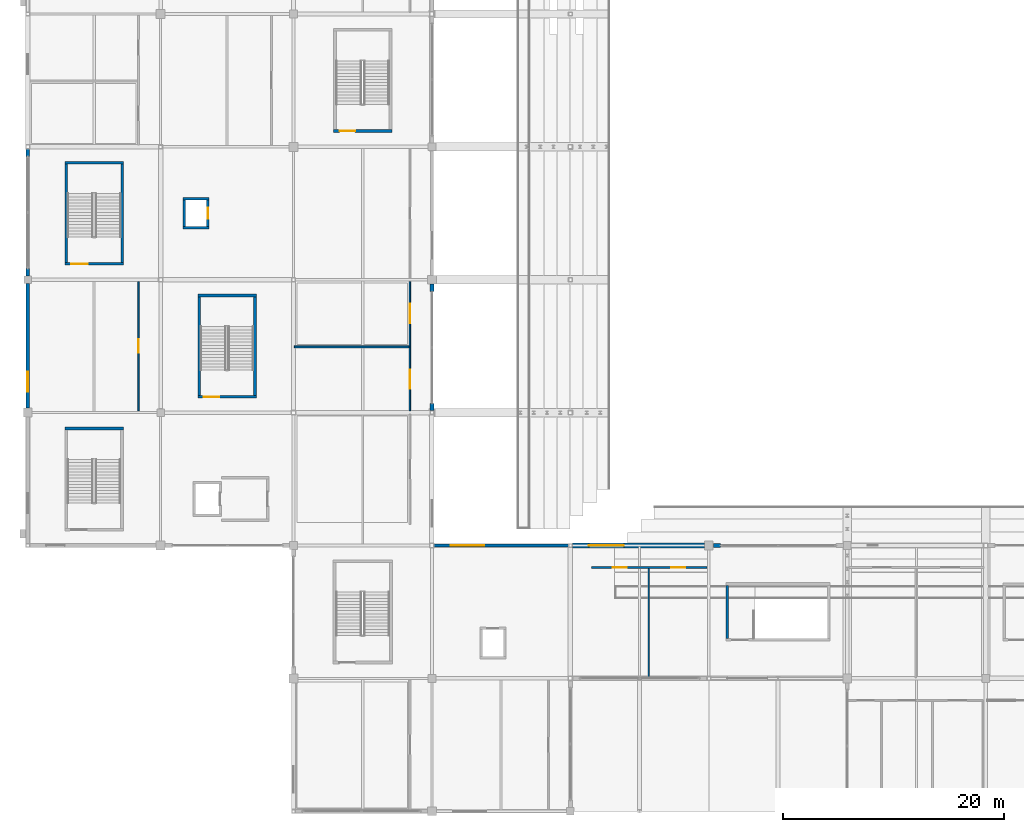
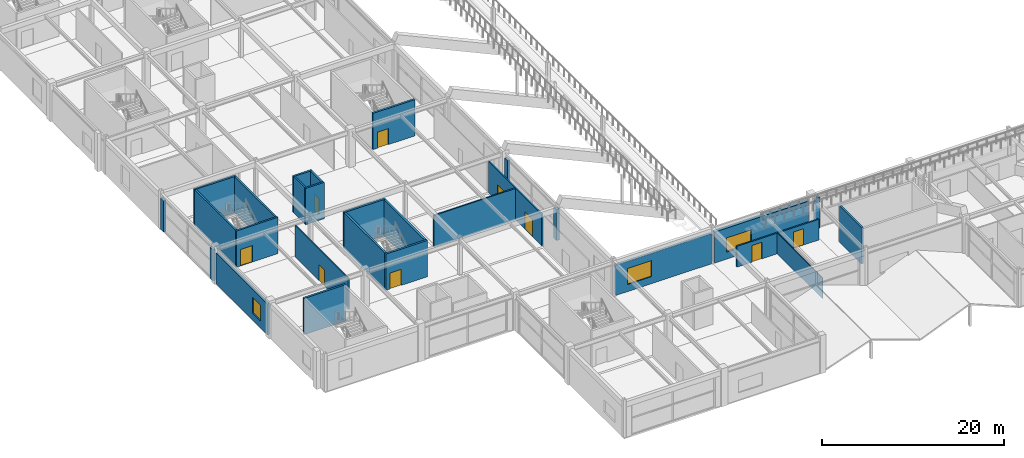
# One storey, part 85 of 128: 28 walls, 9 doors, 3 windows, 12 openings.
"""IFC4 building model written with IfcOpenShell, lengths in metres."""

from ifc_helpers import new_model, si_unit, direction, frame, frame_2d, origin, place, context, subcontext, project, spatial, rectangle, extrude, material, layer, layer_set, type_object, element, fill, save


model = new_model("IFC4")

# Units and contexts
model_context = context("Model", 3, precision=1e-05, world=origin(), true_north=direction((0.0, 1.0)))
body_context = subcontext(model_context, "Body", "Model", "MODEL_VIEW")
ifc_project = project(units=[si_unit("LENGTHUNIT", "METRE"), si_unit("AREAUNIT", "SQUARE_METRE"), si_unit("VOLUMEUNIT", "CUBIC_METRE"), si_unit("PLANEANGLEUNIT", "RADIAN"), si_unit("MASSUNIT", "GRAM", prefix="KILO")], contexts=[model_context])

# Site, building, storey
site_placement = place(None, origin())
site = spatial("IfcSite", under=ifc_project, at=site_placement, CompositionType="ELEMENT")
building_placement = place(site_placement, origin())
building = spatial("IfcBuilding", under=site, at=building_placement, Name="Kazenohara Klinker Stadium", CompositionType="ELEMENT")
storey_placement = place(building_placement, frame((0.0, 0.0, 15.300048828125)))
storey = spatial("IfcBuildingStorey", under=building, at=storey_placement, Name="L03", CompositionType="ELEMENT", Elevation=15.300048828125)

# Wall, opening, door
ifc_material_1 = material(Name="Concrete C40/50", Category="concrete")
ifc_layer_1 = layer(ifc_material_1, 0.22998046875)
ifc_layer_set_1 = layer_set([ifc_layer_1], Name="Concrete C40/50")
wall_type_1 = type_object("IfcWallType", Name="WAL-CORE-230", PredefinedType="SHEAR", material=ifc_layer_set_1)
wall_1_placement = place(storey_placement, frame((3.3701171875, 61.43505859375, 0.0), z_axis=(0.0, 0.0, 1.0), x_axis=(1.0, 0.0, 0.0)))
wall_1 = element("IfcWall", 1, at=wall_1_placement, inside=storey, type_object=wall_type_1, Name="Stairwell shear wall ST02 L03 South", PredefinedType="SHEAR", context=body_context, shape_type="SweptSolid", body=[
    extrude(rectangle(XDim=5.259765625, YDim=0.22998046875, at=frame_2d((2.6298828125, 0.0))), origin(), (0.0, 0.0, 1.0), 4.85986328125),
])
opening_1_placement = place(wall_1_placement, frame((0.550048828125, 0.0, 0.0)))
opening_1 = element("IfcOpeningElement", 2, at=opening_1_placement, cuts=wall_1, Name="Opening SD02", PredefinedType="OPENING", context=body_context, shape_type="SweptSolid", body=[
    extrude(rectangle(XDim=1.5, YDim=2.199951171875, at=frame_2d((0.75, 1.10009765625))), frame((0.0, 0.125, 0.0), z_axis=(0.0, -1.0, 0.0), x_axis=(1.0, 0.0, 0.0)), (0.0, 0.0, 1.0), 0.25),
])
ifc_material_2 = material(Name="Flush painted steel fire door leaf", Category="steel")
door_type_1 = type_object("IfcDoorType", Name="DR-STR-1500x2200", OperationType="NOTDEFINED", PredefinedType="DOOR", material=ifc_material_2)
door_1_placement = place(opening_1_placement, origin())
door_1 = element("IfcDoor", 3, at=door_1_placement, inside=storey, type_object=door_type_1, Name="Escape stairwell fire door ST02-L03", OperationType="SINGLE_SWING_RIGHT", OverallHeight=2.199951171875, OverallWidth=1.5, PredefinedType="DOOR", context=body_context, shape_type="SweptSolid", body=[
    extrude(rectangle(XDim=1.5, YDim=2.199951171875, at=frame_2d((0.75, 1.10009765625))), frame((0.0, 0.02490234375, 0.0), z_axis=(0.0, -1.0, 0.0), x_axis=(1.0, 0.0, 0.0)), (0.0, 0.0, 1.0), 0.050048828125),
])
fill(opening_1, door_1)

# Walls
wall_2_placement = place(storey_placement, frame((3.3701171875, 70.56494140625, 0.0), z_axis=(0.0, 0.0, 1.0), x_axis=(1.0, 0.0, 0.0)))
element("IfcWall", 4, at=wall_2_placement, inside=storey, type_object=wall_type_1, Name="Stairwell shear wall ST02 L03 North", PredefinedType="SHEAR", context=body_context, shape_type="SweptSolid", body=[
    extrude(rectangle(XDim=5.259765625, YDim=0.22998046875, at=frame_2d((2.6298828125, 0.0))), origin(), (0.0, 0.0, 1.0), 4.85986328125),
])
for number, where, z_axis, x_axis, name in (
    (5, (3.485107421875, 61.550048828125, 0.0), (0.0, 0.0, 1.0), (0.0, 1.0, 0.0), "Stairwell shear wall ST02 L03 West"),
    (6, (8.514892578125, 61.550048828125, 0.0), (0.0, 0.0, 1.0), (0.0, 1.0, 0.0), "Stairwell shear wall ST02 L03 East"),
):
    element("IfcWall", number, at=place(storey_placement, frame(where, z_axis=z_axis, x_axis=x_axis)), inside=storey, type_object=wall_type_1, Name=name, PredefinedType="SHEAR", context=body_context, shape_type="SweptSolid", body=[
        extrude(rectangle(XDim=8.89990234375, YDim=0.22998046875, at=frame_2d((4.449951171875, 0.0))), origin(), (0.0, 0.0, 1.0), 4.85986328125),
    ])
for number, where, z_axis, x_axis, name in (
    (7, (14.02001953125, 64.68505859375, 0.0), (0.0, 0.0, 1.0), (1.0, 0.0, 0.0), "Elevator shaft wall LP01 L03 South"),
    (8, (14.02001953125, 67.31494140625, 0.0), (0.0, 0.0, 1.0), (1.0, 0.0, 0.0), "Elevator shaft wall LP01 L03 North"),
):
    element("IfcWall", number, at=place(storey_placement, frame(where, z_axis=z_axis, x_axis=x_axis)), inside=storey, type_object=wall_type_1, Name=name, PredefinedType="SHEAR", context=body_context, shape_type="SweptSolid", body=[
        extrude(rectangle(XDim=2.35986328125, YDim=0.22998046875, at=frame_2d((1.179931640625, 0.0))), origin(), (0.0, 0.0, 1.0), 4.85986328125),
    ])
wall_3_placement = place(storey_placement, frame((14.135009765625, 64.800048828125, 0.0), z_axis=(0.0, 0.0, 1.0), x_axis=(0.0, 1.0, 0.0)))
element("IfcWall", 9, at=wall_3_placement, inside=storey, type_object=wall_type_1, Name="Elevator shaft wall LP01 L03 West", PredefinedType="SHEAR", context=body_context, shape_type="SweptSolid", body=[
    extrude(rectangle(XDim=2.39990234375, YDim=0.22998046875, at=frame_2d((1.199951171875, 0.0))), origin(), (0.0, 0.0, 1.0), 4.85986328125),
])

# Wall, opening, door
wall_4_placement = place(storey_placement, frame((16.264892578125, 64.800048828125, 0.0), z_axis=(0.0, 0.0, 1.0), x_axis=(0.0, 1.0, 0.0)))
wall_4 = element("IfcWall", 10, at=wall_4_placement, inside=storey, type_object=wall_type_1, Name="Elevator shaft wall LP01 L03 East", PredefinedType="SHEAR", context=body_context, shape_type="SweptSolid", body=[
    extrude(rectangle(XDim=2.39990234375, YDim=0.22998046875, at=frame_2d((1.199951171875, 0.0))), origin(), (0.0, 0.0, 1.0), 4.85986328125),
])
opening_2_placement = place(wall_4_placement, frame((0.699951171875, 0.0, 0.0)))
opening_2 = element("IfcOpeningElement", 11, at=opening_2_placement, cuts=wall_4, Name="Opening LD02", PredefinedType="OPENING", context=body_context, shape_type="SweptSolid", body=[
    extrude(rectangle(XDim=1.0, YDim=2.14990234375, at=frame_2d((0.5, 1.074951171875))), frame((0.0, 0.125, 0.0), z_axis=(0.0, -1.0, 0.0), x_axis=(1.0, 0.0, 0.0)), (0.0, 0.0, 1.0), 0.25),
])
ifc_material_3 = material(Name="Stainless steel sliding landing door", Category="steel")
door_type_2 = type_object("IfcDoorType", Name="DR-LD02-1000x2150", OperationType="NOTDEFINED", PredefinedType="DOOR", material=ifc_material_3)
door_2_placement = place(opening_2_placement, origin())
door_2 = element("IfcDoor", 12, at=door_2_placement, inside=storey, type_object=door_type_2, Name="Elevator sliding landing door LP01-L03", OperationType="DOUBLE_DOOR_SLIDING", OverallHeight=2.14990234375, OverallWidth=1.0, PredefinedType="DOOR", context=body_context, shape_type="SweptSolid", body=[
    extrude(rectangle(XDim=1.0, YDim=2.14990234375, at=frame_2d((0.5, 1.074951171875))), frame((0.0, 0.02490234375, 0.0), z_axis=(0.0, -1.0, 0.0), x_axis=(1.0, 0.0, 0.0)), (0.0, 0.0, 1.0), 0.050048828125),
])
fill(opening_2, door_2)

# Wall
ifc_layer_2 = layer(ifc_material_1, 0.25)
ifc_layer_set_2 = layer_set([ifc_layer_2], Name="Concrete C40/50")
wall_type_2 = type_object("IfcWallType", Name="WAL-CORE-250", PredefinedType="SHEAR", material=ifc_layer_set_2)
wall_5_placement = place(storey_placement, frame((3.360107421875, 46.574951171875, 0.0), z_axis=(0.0, 0.0, 1.0), x_axis=(1.0, 0.0, 0.0)))
element("IfcWall", 13, at=wall_5_placement, inside=storey, type_object=wall_type_2, Name="Stairwell shear wall ST01 L03 North", PredefinedType="SHEAR", context=body_context, shape_type="SweptSolid", body=[
    extrude(rectangle(XDim=5.27978515625, YDim=0.25, at=frame_2d((2.639892578125, 0.0))), origin(), (0.0, 0.0, 1.0), 4.85986328125),
])

# Wall, opening, door
wall_6_placement = place(storey_placement, frame((15.360107421875, 49.425048828125, 0.0), z_axis=(0.0, 0.0, 1.0), x_axis=(1.0, 0.0, 0.0)))
wall_6 = element("IfcWall", 14, at=wall_6_placement, inside=storey, type_object=wall_type_2, Name="Stairwell shear wall ST13 L03 South", PredefinedType="SHEAR", context=body_context, shape_type="SweptSolid", body=[
    extrude(rectangle(XDim=5.27978515625, YDim=0.25, at=frame_2d((2.639892578125, 0.0))), origin(), (0.0, 0.0, 1.0), 4.85986328125),
])
opening_3_placement = place(wall_6_placement, frame((0.550048828125, 0.0, 0.0)))
opening_3 = element("IfcOpeningElement", 15, at=opening_3_placement, cuts=wall_6, Name="Opening SD01", PredefinedType="OPENING", context=body_context, shape_type="SweptSolid", body=[
    extrude(rectangle(XDim=1.39990234375, YDim=2.14990234375, at=frame_2d((0.699951171875, 1.074951171875))), frame((0.0, 0.135009765625, 0.0), z_axis=(0.0, -1.0, 0.0), x_axis=(1.0, 0.0, 0.0)), (0.0, 0.0, 1.0), 0.27001953125),
])
door_type_3 = type_object("IfcDoorType", Name="DR-STR-1400x2150", OperationType="NOTDEFINED", PredefinedType="DOOR", material=ifc_material_2)
door_3_placement = place(opening_3_placement, origin())
door_3 = element("IfcDoor", 16, at=door_3_placement, inside=storey, type_object=door_type_3, Name="Escape stairwell fire door ST13-L03", OperationType="SINGLE_SWING_RIGHT", OverallHeight=2.14990234375, OverallWidth=1.39990234375, PredefinedType="DOOR", context=body_context, shape_type="SweptSolid", body=[
    extrude(rectangle(XDim=1.39990234375, YDim=2.14990234375, at=frame_2d((0.699951171875, 1.074951171875))), frame((0.0, 0.02490234375, 0.0), z_axis=(0.0, -1.0, 0.0), x_axis=(1.0, 0.0, 0.0)), (0.0, 0.0, 1.0), 0.050048828125),
])
fill(opening_3, door_3)

# Walls
wall_7_placement = place(storey_placement, frame((15.360107421875, 58.574951171875, 0.0), z_axis=(0.0, 0.0, 1.0), x_axis=(1.0, 0.0, 0.0)))
element("IfcWall", 17, at=wall_7_placement, inside=storey, type_object=wall_type_2, Name="Stairwell shear wall ST13 L03 North", PredefinedType="SHEAR", context=body_context, shape_type="SweptSolid", body=[
    extrude(rectangle(XDim=5.27978515625, YDim=0.25, at=frame_2d((2.639892578125, 0.0))), origin(), (0.0, 0.0, 1.0), 4.85986328125),
])
for number, where, z_axis, x_axis, name in (
    (18, (15.485107421875, 49.550048828125, 0.0), (0.0, 0.0, 1.0), (0.0, 1.0, 0.0), "Stairwell shear wall ST13 L03 West"),
    (19, (20.514892578125, 49.550048828125, 0.0), (0.0, 0.0, 1.0), (0.0, 1.0, 0.0), "Stairwell shear wall ST13 L03 East"),
):
    element("IfcWall", number, at=place(storey_placement, frame(where, z_axis=z_axis, x_axis=x_axis)), inside=storey, type_object=wall_type_2, Name=name, PredefinedType="SHEAR", context=body_context, shape_type="SweptSolid", body=[
        extrude(rectangle(XDim=8.89990234375, YDim=0.25, at=frame_2d((4.449951171875, 0.0))), origin(), (0.0, 0.0, 1.0), 4.85986328125),
    ])

# Wall, opening, door
wall_8_placement = place(storey_placement, frame((27.610107421875, 73.425048828125, 0.0), z_axis=(0.0, 0.0, 1.0), x_axis=(1.0, 0.0, 0.0)))
wall_8 = element("IfcWall", 20, at=wall_8_placement, inside=storey, type_object=wall_type_2, Name="Stairwell shear wall ST17 L03 South", PredefinedType="SHEAR", context=body_context, shape_type="SweptSolid", body=[
    extrude(rectangle(XDim=5.27978515625, YDim=0.25, at=frame_2d((2.639892578125, 0.0))), origin(), (0.0, 0.0, 1.0), 4.85986328125),
])
opening_4_placement = place(wall_8_placement, frame((0.550048828125, 0.0, 0.0)))
opening_4 = element("IfcOpeningElement", 21, at=opening_4_placement, cuts=wall_8, Name="Opening SD01", PredefinedType="OPENING", context=body_context, shape_type="SweptSolid", body=[
    extrude(rectangle(XDim=1.39990234375, YDim=2.14990234375, at=frame_2d((0.699951171875, 1.074951171875))), frame((0.0, 0.135009765625, 0.0), z_axis=(0.0, -1.0, 0.0), x_axis=(1.0, 0.0, 0.0)), (0.0, 0.0, 1.0), 0.27001953125),
])
door_4_placement = place(opening_4_placement, origin())
door_4 = element("IfcDoor", 22, at=door_4_placement, inside=storey, type_object=door_type_3, Name="Escape stairwell fire door ST17-L03", OperationType="SINGLE_SWING_RIGHT", OverallHeight=2.14990234375, OverallWidth=1.39990234375, PredefinedType="DOOR", context=body_context, shape_type="SweptSolid", body=[
    extrude(rectangle(XDim=1.39990234375, YDim=2.14990234375, at=frame_2d((0.699951171875, 1.074951171875))), frame((0.0, 0.02490234375, 0.0), z_axis=(0.0, -1.0, 0.0), x_axis=(1.0, 0.0, 0.0)), (0.0, 0.0, 1.0), 0.050048828125),
])
fill(opening_4, door_4)

# Wall
wall_9_placement = place(storey_placement, frame((63.175048828125, 27.610107421875, 0.0), z_axis=(0.0, 0.0, 1.0), x_axis=(0.0, 1.0, 0.0)))
element("IfcWall", 23, at=wall_9_placement, inside=storey, type_object=wall_type_2, Name="Stairwell shear wall ST25 L03 West", PredefinedType="SHEAR", context=body_context, shape_type="SweptSolid", body=[
    extrude(rectangle(XDim=4.77978515625, YDim=0.25, at=frame_2d((2.389892578125, 0.0))), origin(), (0.0, 0.0, 1.0), 4.85986328125),
])

# Wall, opening, window
ifc_material_4 = material(Name="Clinker brick masonry", Category="masonry")
ifc_layer_3 = layer(ifc_material_4, 0.280029296875)
ifc_layer_set_3 = layer_set([ifc_layer_3], Name="Clinker brick masonry")
wall_type_3 = type_object("IfcWallType", Name="WAL-EXT-CB280", PredefinedType="SOLIDWALL", material=ifc_layer_set_3)
wall_10_placement = place(storey_placement, frame((0.0, 48.404052734375, 0.0), z_axis=(0.0, 0.0, 1.0), x_axis=(0.0, 1.0, 0.0)))
wall_10 = element("IfcWall", 24, at=wall_10_placement, inside=storey, type_object=wall_type_3, Name="Clinker brick cavity wall EW06 L03 Y0-4", PredefinedType="SOLIDWALL", context=body_context, shape_type="SweptSolid", body=[
    extrude(rectangle(XDim=11.241943359375, YDim=0.280029296875, at=frame_2d((5.62109375, 0.0))), origin(), (0.0, 0.0, 1.0), 4.159912109375),
])
opening_5_placement = place(wall_10_placement, frame((1.5, 0.0, 0.949951171875)))
opening_5 = element("IfcOpeningElement", 25, at=opening_5_placement, cuts=wall_10, Name="Opening W14", PredefinedType="OPENING", context=body_context, shape_type="SweptSolid", body=[
    extrude(rectangle(XDim=1.800048828125, YDim=2.14990234375, at=frame_2d((0.89990234375, 1.074951171875))), frame((0.0, 0.14990234375, 0.0), z_axis=(0.0, -1.0, 0.0), x_axis=(1.0, 0.0, 0.0)), (0.0, 0.0, 1.0), 0.300048828125),
])
ifc_material_5 = material(Name="Dark bronze aluminium frame and triple glazing", Category="aluminium")
window_type_1 = type_object("IfcWindowType", Name="WIN-AS-14", PartitioningType="SINGLE_PANEL", PredefinedType="WINDOW", material=ifc_material_5)
window_1_placement = place(opening_5_placement, origin())
window_1 = element("IfcWindow", 26, at=window_1_placement, inside=storey, type_object=window_type_1, Name="Horizontal-mullion ladder window W14 L03 Y0-4", OverallHeight=2.14990234375, OverallWidth=1.800048828125, PartitioningType="SINGLE_PANEL", PredefinedType="WINDOW", context=body_context, shape_type="SweptSolid", body=[
    extrude(rectangle(XDim=1.800048828125, YDim=2.14990234375, at=frame_2d((0.89990234375, 1.074951171875))), frame((0.0, 0.030029296875, 0.0), z_axis=(0.0, -1.0, 0.0), x_axis=(1.0, 0.0, 0.0)), (0.0, 0.0, 1.0), 0.06005859375),
])
fill(opening_5, window_1)

wall_11_placement = place(storey_placement, frame((36.7041015625, 36.0, 0.0), z_axis=(0.0, 0.0, 1.0), x_axis=(1.0, 0.0, 0.0)))
wall_11 = element("IfcWall", 27, at=wall_11_placement, inside=storey, type_object=wall_type_3, Name="Clinker brick cavity wall EW06 L03 X3-3", PredefinedType="SOLIDWALL", context=body_context, shape_type="SweptSolid", body=[
    extrude(rectangle(XDim=12.116943359375, YDim=0.280029296875, at=frame_2d((6.05859375, 0.0))), origin(), (0.0, 0.0, 1.0), 4.06005859375),
])
opening_6_placement = place(wall_11_placement, frame((1.5, 0.0, 0.949951171875)))
opening_6 = element("IfcOpeningElement", 28, at=opening_6_placement, cuts=wall_11, Name="Opening W31", PredefinedType="OPENING", context=body_context, shape_type="SweptSolid", body=[
    extrude(rectangle(XDim=3.0, YDim=2.14990234375, at=frame_2d((1.5, 1.074951171875))), frame((0.0, 0.14990234375, 0.0), z_axis=(0.0, -1.0, 0.0), x_axis=(1.0, 0.0, 0.0)), (0.0, 0.0, 1.0), 0.300048828125),
])
window_type_2 = type_object("IfcWindowType", Name="WIN-AS-31", PartitioningType="SINGLE_PANEL", PredefinedType="WINDOW", material=ifc_material_5)
window_2_placement = place(opening_6_placement, origin())
window_2 = element("IfcWindow", 29, at=window_2_placement, inside=storey, type_object=window_type_2, Name="Horizontal-mullion ladder window W31 L03 X3-3", OverallHeight=2.14990234375, OverallWidth=3.0, PartitioningType="SINGLE_PANEL", PredefinedType="WINDOW", context=body_context, shape_type="SweptSolid", body=[
    extrude(rectangle(XDim=3.0, YDim=2.14990234375, at=frame_2d((1.5, 1.074951171875))), frame((0.0, 0.030029296875, 0.0), z_axis=(0.0, -1.0, 0.0), x_axis=(1.0, 0.0, 0.0)), (0.0, 0.0, 1.0), 0.06005859375),
])
fill(opening_6, window_2)

# Walls
ifc_layer_4 = layer(ifc_material_4, 0.340087890625)
ifc_layer_set_4 = layer_set([ifc_layer_4], Name="Clinker brick masonry")
wall_type_4 = type_object("IfcWallType", Name="WAL-EXT-CB340", PredefinedType="SOLIDWALL", material=ifc_layer_set_4)
for number, where, z_axis, x_axis, name in (
    (30, (0.0, 60.35400390625, 0.0), (0.0, 0.0, 1.0), (0.0, 1.0, 0.0), "Clinker brick curtain-wall jamb pier L03 Y0-5 A"),
    (31, (0.0, 71.14599609375, 0.0), (0.0, 0.0, 1.0), (0.0, 1.0, 0.0), "Clinker brick curtain-wall jamb pier L03 Y0-5 B"),
):
    element("IfcWall", number, at=place(storey_placement, frame(where, z_axis=z_axis, x_axis=x_axis)), inside=storey, type_object=wall_type_4, Name=name, PredefinedType="SOLIDWALL", context=body_context, shape_type="SweptSolid", body=[
        extrude(rectangle(XDim=0.64990234375, YDim=0.340087890625, at=frame_2d((0.324951171875, 0.0))), origin(), (0.0, 0.0, 1.0), 4.171875),
    ])
wall_12_placement = place(storey_placement, frame((36.5, 48.178955078125, 0.0), z_axis=(0.0, 0.0, 1.0), x_axis=(0.0, 1.0, 0.0)))
element("IfcWall", 32, at=wall_12_placement, inside=storey, type_object=wall_type_4, Name="Clinker brick curtain-wall jamb pier L03 Y3-4 A", PredefinedType="SOLIDWALL", context=body_context, shape_type="SweptSolid", body=[
    extrude(rectangle(XDim=0.650146484375, YDim=0.340087890625, at=frame_2d((0.3251953125, 0.0))), origin(), (0.0, 0.0, 1.0), 4.159912109375),
])
wall_13_placement = place(storey_placement, frame((36.5, 58.946044921875, 0.0), z_axis=(0.0, 0.0, 1.0), x_axis=(0.0, 1.0, 0.0)))
element("IfcWall", 33, at=wall_13_placement, inside=storey, type_object=wall_type_4, Name="Clinker brick curtain-wall jamb pier L03 Y3-4 B", PredefinedType="SOLIDWALL", context=body_context, shape_type="SweptSolid", body=[
    extrude(rectangle(XDim=0.64990234375, YDim=0.340087890625, at=frame_2d((0.324951171875, 0.0))), origin(), (0.0, 0.0, 1.0), 4.159912109375),
])
wall_14_placement = place(storey_placement, frame((61.904052734375, 36.0, 0.0), z_axis=(0.0, 0.0, 1.0), x_axis=(1.0, 0.0, 0.0)))
element("IfcWall", 34, at=wall_14_placement, inside=storey, type_object=wall_type_4, Name="Clinker brick curtain-wall jamb pier L03 X5-3 A", PredefinedType="SOLIDWALL", context=body_context, shape_type="SweptSolid", body=[
    extrude(rectangle(XDim=0.64990234375, YDim=0.340087890625, at=frame_2d((0.324951171875, 0.0))), origin(), (0.0, 0.0, 1.0), 4.171875),
])

# Wall, opening, window
ifc_layer_5 = layer(ifc_material_4, 0.409912109375)
ifc_layer_set_5 = layer_set([ifc_layer_5], Name="Clinker brick masonry")
wall_type_5 = type_object("IfcWallType", Name="WAL-EXT-CB410", PredefinedType="SOLIDWALL", material=ifc_layer_set_5)
wall_15_placement = place(storey_placement, frame((49.178955078125, 36.0, 0.0), z_axis=(0.0, 0.0, 1.0), x_axis=(1.0, 0.0, 0.0)))
wall_15 = element("IfcWall", 35, at=wall_15_placement, inside=storey, type_object=wall_type_5, Name="Clinker brick cavity wall EW02 L03 X4-3", PredefinedType="SOLIDWALL", context=body_context, shape_type="SweptSolid", body=[
    extrude(rectangle(XDim=11.9169921875, YDim=0.409912109375, at=frame_2d((5.95849609375, 0.0))), origin(), (0.0, 0.0, 1.0), 4.159912109375),
])
opening_7_placement = place(wall_15_placement, frame((1.5, 0.0, 0.949951171875)))
opening_7 = element("IfcOpeningElement", 36, at=opening_7_placement, cuts=wall_15, Name="Opening W32", PredefinedType="OPENING", context=body_context, shape_type="SweptSolid", body=[
    extrude(rectangle(XDim=3.14990234375, YDim=1.89990234375, at=frame_2d((1.574951171875, 0.949951171875))), frame((0.0, 0.21484375, 0.0), z_axis=(0.0, -1.0, 0.0), x_axis=(1.0, 0.0, 0.0)), (0.0, 0.0, 1.0), 0.429931640625),
])
window_type_3 = type_object("IfcWindowType", Name="WIN-AS-32", PartitioningType="SINGLE_PANEL", PredefinedType="WINDOW", material=ifc_material_5)
window_3_placement = place(opening_7_placement, origin())
window_3 = element("IfcWindow", 37, at=window_3_placement, inside=storey, type_object=window_type_3, Name="Horizontal-mullion ladder window W32 L03 X4-3", OverallHeight=1.89990234375, OverallWidth=3.14990234375, PartitioningType="SINGLE_PANEL", PredefinedType="WINDOW", context=body_context, shape_type="SweptSolid", body=[
    extrude(rectangle(XDim=3.14990234375, YDim=1.89990234375, at=frame_2d((1.574951171875, 0.949951171875))), frame((0.0, 0.030029296875, 0.0), z_axis=(0.0, -1.0, 0.0), x_axis=(1.0, 0.0, 0.0)), (0.0, 0.0, 1.0), 0.06005859375),
])
fill(opening_7, window_3)

# Wall
ifc_material_6 = material(Name="Fire-rated gypsum board on acoustic studs", Category="gypsum")
ifc_layer_6 = layer(ifc_material_6, 0.110107421875)
ifc_layer_set_6 = layer_set([ifc_layer_6], Name="Fire-rated gypsum board on acoustic studs")
wall_type_6 = type_object("IfcWallType", Name="WAL-INT-P110", PredefinedType="PARTITIONING", material=ifc_layer_set_6)
wall_16_placement = place(storey_placement, frame((56.077880859375, 24.02392578125, 0.0), z_axis=(0.0, 0.0, 1.0), x_axis=(0.0, 1.0, 0.0)))
element("IfcWall", 38, at=wall_16_placement, inside=storey, type_object=wall_type_6, Name="Interior partition wall PT01 SPC-L03-04-02-1-2", PredefinedType="PARTITIONING", context=body_context, shape_type="SweptSolid", body=[
    extrude(rectangle(XDim=9.885986328125, YDim=0.110107421875, at=frame_2d((4.94287109375, 0.0))), origin(), (0.0, 0.0, 1.0), 2.77001953125),
])

# Wall, opening, door
ifc_layer_7 = layer(ifc_material_6, 0.139892578125)
ifc_layer_set_7 = layer_set([ifc_layer_7], Name="Fire-rated gypsum board on acoustic studs")
wall_type_7 = type_object("IfcWallType", Name="WAL-INT-P140", PredefinedType="PARTITIONING", material=ifc_layer_set_7)
wall_17_placement = place(storey_placement, frame((10.010009765625, 48.159912109375, 0.0), z_axis=(0.0, 0.0, 1.0), x_axis=(0.0, 1.0, 0.0)))
wall_17 = element("IfcWall", 39, at=wall_17_placement, inside=storey, type_object=wall_type_7, Name="Interior partition wall PT03 SPC-L03-00-04-1-1", PredefinedType="PARTITIONING", context=body_context, shape_type="SweptSolid", body=[
    extrude(rectangle(XDim=11.68017578125, YDim=0.139892578125, at=frame_2d((5.840087890625, 0.0))), origin(), (0.0, 0.0, 1.0), 4.219970703125),
])
opening_8_placement = place(wall_17_placement, frame((5.235107421875, 0.0, 0.0)))
opening_8 = element("IfcOpeningElement", 40, at=opening_8_placement, cuts=wall_17, Name="Opening ID12", PredefinedType="OPENING", context=body_context, shape_type="SweptSolid", body=[
    extrude(rectangle(XDim=1.2099609375, YDim=2.179931640625, at=frame_2d((0.60498046875, 1.08984375))), frame((0.0, 0.080078125, 0.0), z_axis=(0.0, -1.0, 0.0), x_axis=(1.0, 0.0, 0.0)), (0.0, 0.0, 1.0), 0.159912109375),
])
ifc_material_7 = material(Name="Solid-core Hokkaido oak fire door", Category="wood")
door_type_4 = type_object("IfcDoorType", Name="DR-INT-12", OperationType="NOTDEFINED", PredefinedType="DOOR", material=ifc_material_7)
door_5_placement = place(opening_8_placement, origin())
door_5 = element("IfcDoor", 41, at=door_5_placement, inside=storey, type_object=door_type_4, Name="Interior door ID12 Crowd Safety Monitoring Control Studio L03-0004A", OperationType="SINGLE_SWING_LEFT", OverallHeight=2.179931640625, OverallWidth=1.2099609375, PredefinedType="DOOR", context=body_context, shape_type="SweptSolid", body=[
    extrude(rectangle(XDim=1.2099609375, YDim=2.179931640625, at=frame_2d((0.60498046875, 1.08984375))), frame((0.0, 0.02490234375, 0.0), z_axis=(0.0, -1.0, 0.0), x_axis=(1.0, 0.0, 0.0)), (0.0, 0.0, 1.0), 0.050048828125),
])
fill(opening_8, door_5)

# Wall, openings, doors
ifc_layer_8 = layer(ifc_material_6, 0.14990234375)
ifc_layer_set_8 = layer_set([ifc_layer_8], Name="Fire-rated gypsum board on acoustic studs")
wall_type_8 = type_object("IfcWallType", Name="WAL-INT-P150", PredefinedType="PARTITIONING", material=ifc_layer_set_8)
wall_18_placement = place(storey_placement, frame((34.510009765625, 48.159912109375, 0.0), z_axis=(0.0, 0.0, 1.0), x_axis=(0.0, 1.0, 0.0)))
wall_18 = element("IfcWall", 42, at=wall_18_placement, inside=storey, type_object=wall_type_8, Name="Interior partition wall PT04 SPC-L03-02-04-1-1", PredefinedType="PARTITIONING", context=body_context, shape_type="SweptSolid", body=[
    extrude(rectangle(XDim=11.68017578125, YDim=0.14990234375, at=frame_2d((5.840087890625, 0.0))), origin(), (0.0, 0.0, 1.0), 4.219970703125),
])
opening_9_placement = place(wall_18_placement, frame((2.000732421875, 0.0, 0.0)))
opening_9 = element("IfcOpeningElement", 43, at=opening_9_placement, cuts=wall_18, Name="Opening ID25", PredefinedType="OPENING", context=body_context, shape_type="SweptSolid", body=[
    extrude(rectangle(XDim=1.699951171875, YDim=2.320068359375, at=frame_2d((0.85009765625, 1.16015625))), frame((0.0, 0.0849609375, 0.0), z_axis=(0.0, -1.0, 0.0), x_axis=(1.0, 0.0, 0.0)), (0.0, 0.0, 1.0), 0.169921875),
])
opening_10_placement = place(wall_18_placement, frame((7.890869140625, 0.0, 0.0)))
opening_10 = element("IfcOpeningElement", 44, at=opening_10_placement, cuts=wall_18, Name="Opening ID26", PredefinedType="OPENING", context=body_context, shape_type="SweptSolid", body=[
    extrude(rectangle(XDim=1.760009765625, YDim=2.300048828125, at=frame_2d((0.8798828125, 1.14990234375))), frame((0.0, 0.0849609375, 0.0), z_axis=(0.0, -1.0, 0.0), x_axis=(1.0, 0.0, 0.0)), (0.0, 0.0, 1.0), 0.169921875),
])
ifc_material_8 = material(Name="Painted steel plant fire door", Category="steel")
door_type_5 = type_object("IfcDoorType", Name="DR-INT-25", OperationType="NOTDEFINED", PredefinedType="DOOR", material=ifc_material_8)
door_6_placement = place(opening_9_placement, origin())
door_6 = element("IfcDoor", 45, at=door_6_placement, inside=storey, type_object=door_type_5, Name="Interior door ID25 Concourse Cold-Climate Hospitality Lounge L03-0204A", OperationType="SINGLE_SWING_RIGHT", OverallHeight=2.320068359375, OverallWidth=1.699951171875, PredefinedType="DOOR", context=body_context, shape_type="SweptSolid", body=[
    extrude(rectangle(XDim=1.699951171875, YDim=2.320068359375, at=frame_2d((0.85009765625, 1.16015625))), frame((0.0, 0.02490234375, 0.0), z_axis=(0.0, -1.0, 0.0), x_axis=(1.0, 0.0, 0.0)), (0.0, 0.0, 1.0), 0.050048828125),
])
fill(opening_9, door_6)
door_type_6 = type_object("IfcDoorType", Name="DR-INT-26", OperationType="NOTDEFINED", PredefinedType="DOOR", material=ifc_material_8)
door_7_placement = place(opening_10_placement, origin())
door_7 = element("IfcDoor", 46, at=door_7_placement, inside=storey, type_object=door_type_6, Name="Interior door ID26 Upper Concourse Hot Beverage Bistro L03-0204B", OperationType="SINGLE_SWING_LEFT", OverallHeight=2.300048828125, OverallWidth=1.760009765625, PredefinedType="DOOR", context=body_context, shape_type="SweptSolid", body=[
    extrude(rectangle(XDim=1.760009765625, YDim=2.300048828125, at=frame_2d((0.8798828125, 1.14990234375))), frame((0.0, 0.02490234375, 0.0), z_axis=(0.0, -1.0, 0.0), x_axis=(1.0, 0.0, 0.0)), (0.0, 0.0, 1.0), 0.050048828125),
])
fill(opening_10, door_7)

# Wall
ifc_layer_9 = layer(ifc_material_6, 0.169921875)
ifc_layer_set_9 = layer_set([ifc_layer_9], Name="Fire-rated gypsum board on acoustic studs")
wall_type_9 = type_object("IfcWallType", Name="WAL-INT-P170", PredefinedType="PARTITIONING", material=ifc_layer_set_9)
wall_19_placement = place(storey_placement, frame((24.080078125, 53.941650390625, 0.0), z_axis=(0.0, 0.0, 1.0), x_axis=(1.0, 0.0, 0.0)))
element("IfcWall", 47, at=wall_19_placement, inside=storey, type_object=wall_type_9, Name="Interior partition wall PT05 SPC-L03-02-04-1-2", PredefinedType="PARTITIONING", context=body_context, shape_type="SweptSolid", body=[
    extrude(rectangle(XDim=10.349853515625, YDim=0.169921875, at=frame_2d((5.1748046875, 0.0))), origin(), (0.0, 0.0, 1.0), 4.219970703125),
])

# Wall, openings, doors
ifc_layer_10 = layer(ifc_material_6, 0.18994140625)
ifc_layer_set_10 = layer_set([ifc_layer_10], Name="Fire-rated gypsum board on acoustic studs")
wall_type_10 = type_object("IfcWallType", Name="WAL-INT-P190", PredefinedType="PARTITIONING", material=ifc_layer_set_10)
wall_20_placement = place(storey_placement, frame((50.919921875, 34.010009765625, 0.0), z_axis=(0.0, 0.0, 1.0), x_axis=(1.0, 0.0, 0.0)))
wall_20 = element("IfcWall", 48, at=wall_20_placement, inside=storey, type_object=wall_type_10, Name="Interior partition wall PT06 SPC-L03-04-02-1-1", PredefinedType="PARTITIONING", context=body_context, shape_type="SweptSolid", body=[
    extrude(rectangle(XDim=10.420166015625, YDim=0.18994140625, at=frame_2d((5.2099609375, 0.0))), origin(), (0.0, 0.0, 1.0), 2.77001953125),
])
opening_11_placement = place(wall_20_placement, frame((3.158935546875, 0.0, 0.0), z_axis=(0.0, 0.0, 1.0), x_axis=(-1.0, 0.0, 0.0)))
opening_11 = element("IfcOpeningElement", 49, at=opening_11_placement, cuts=wall_20, Name="Opening ID13", PredefinedType="OPENING", context=body_context, shape_type="SweptSolid", body=[
    extrude(rectangle(XDim=1.239990234375, YDim=2.219970703125, at=frame_2d((0.6201171875, 1.10986328125))), frame((0.0, 0.10498046875, 0.0), z_axis=(0.0, -1.0, 0.0), x_axis=(1.0, 0.0, 0.0)), (0.0, 0.0, 1.0), 0.2099609375),
])
opening_12_placement = place(wall_20_placement, frame((8.464111328125, 0.0, 0.0), z_axis=(0.0, 0.0, 1.0), x_axis=(-1.0, 0.0, 0.0)))
opening_12 = element("IfcOpeningElement", 50, at=opening_12_placement, cuts=wall_20, Name="Opening ID14", PredefinedType="OPENING", context=body_context, shape_type="SweptSolid", body=[
    extrude(rectangle(XDim=1.27001953125, YDim=2.199951171875, at=frame_2d((0.635009765625, 1.10009765625))), frame((0.0, 0.10498046875, 0.0), z_axis=(0.0, -1.0, 0.0), x_axis=(1.0, 0.0, 0.0)), (0.0, 0.0, 1.0), 0.2099609375),
])
door_type_7 = type_object("IfcDoorType", Name="DR-INT-13", OperationType="NOTDEFINED", PredefinedType="DOOR", material=ifc_material_7)
door_8_placement = place(opening_11_placement, origin())
door_8 = element("IfcDoor", 51, at=door_8_placement, inside=storey, type_object=door_type_7, Name="Interior door ID13 East Panorama Concourse Dining Court L03-0402A", OperationType="SINGLE_SWING_RIGHT", OverallHeight=2.219970703125, OverallWidth=1.239990234375, PredefinedType="DOOR", context=body_context, shape_type="SweptSolid", body=[
    extrude(rectangle(XDim=1.239990234375, YDim=2.219970703125, at=frame_2d((0.6201171875, 1.10986328125))), frame((0.0, 0.02490234375, 0.0), z_axis=(0.0, -1.0, 0.0), x_axis=(1.0, 0.0, 0.0)), (0.0, 0.0, 1.0), 0.050048828125),
])
fill(opening_11, door_8)
door_type_8 = type_object("IfcDoorType", Name="DR-INT-14", OperationType="NOTDEFINED", PredefinedType="DOOR", material=ifc_material_7)
door_9_placement = place(opening_12_placement, origin())
door_9 = element("IfcDoor", 52, at=door_9_placement, inside=storey, type_object=door_type_8, Name="Interior door ID14 Upper Concourse Supporter Dining Pavilion L03-0402B", OperationType="SINGLE_SWING_LEFT", OverallHeight=2.199951171875, OverallWidth=1.27001953125, PredefinedType="DOOR", context=body_context, shape_type="SweptSolid", body=[
    extrude(rectangle(XDim=1.27001953125, YDim=2.199951171875, at=frame_2d((0.635009765625, 1.10009765625))), frame((0.0, 0.02490234375, 0.0), z_axis=(0.0, -1.0, 0.0), x_axis=(1.0, 0.0, 0.0)), (0.0, 0.0, 1.0), 0.050048828125),
])
fill(opening_12, door_9)

save(model, "model.ifc")
